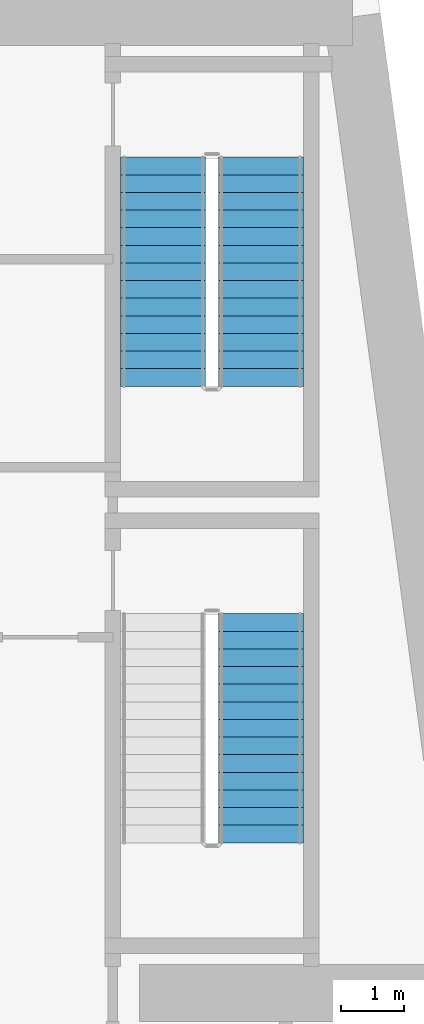
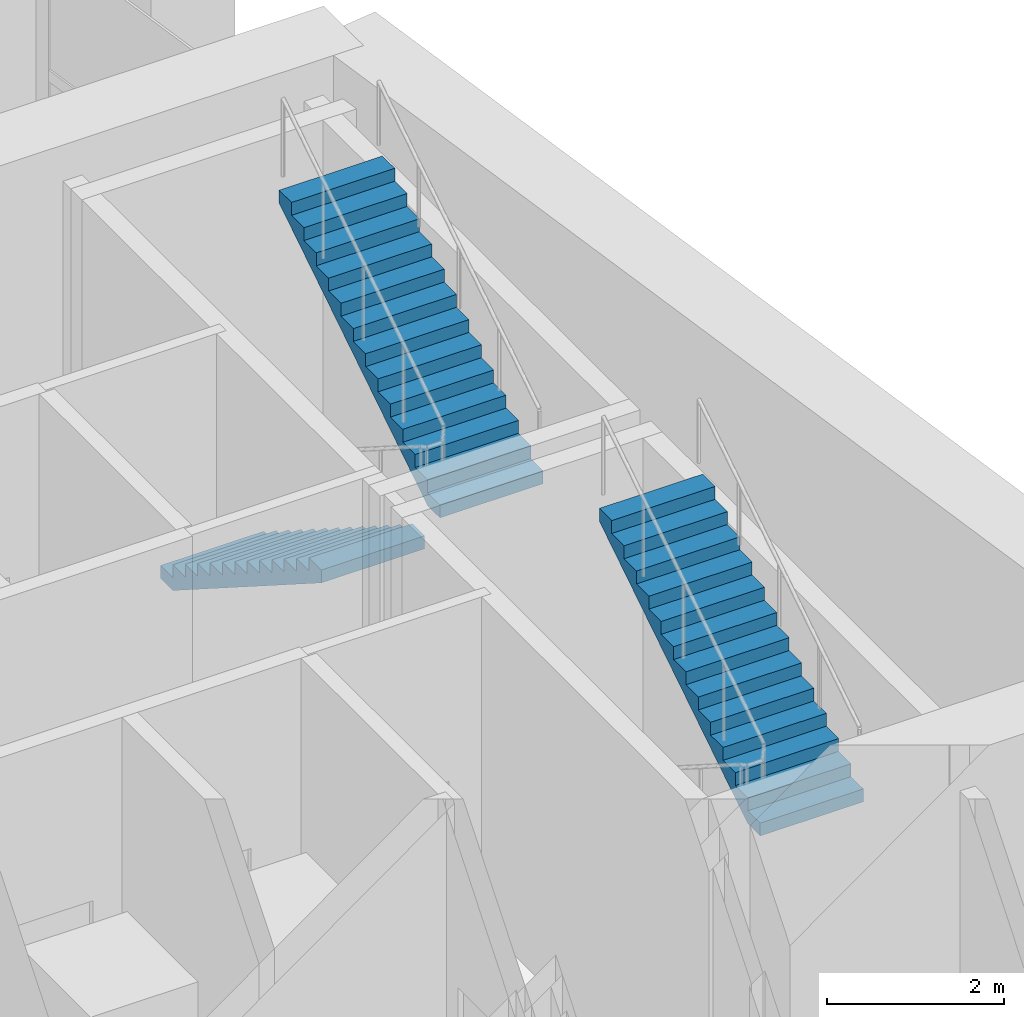
# One storey, part 11 of 16: 3 stair flights, 2 elements without a shape of their own.
"""IFC4 building model written with IfcOpenShell, lengths in metres."""

from ifc_helpers import new_model, si_unit, direction, frame, origin, place, context, subcontext, project, spatial, polyline, outline, extrude, material, type_object, element, aggregate, save


model = new_model("IFC4")

# Units and contexts
model_context = context("Model", 3, precision=1e-05, world=origin(), true_north=direction((0.0, 1.0)))
body_context = subcontext(model_context, "Body", "Model", "MODEL_VIEW")
ifc_project = project(units=[si_unit("LENGTHUNIT", "METRE"), si_unit("AREAUNIT", "SQUARE_METRE"), si_unit("VOLUMEUNIT", "CUBIC_METRE"), si_unit("PLANEANGLEUNIT", "RADIAN"), si_unit("MASSUNIT", "GRAM", prefix="KILO")], contexts=[model_context])

# Site, building, storey
site_placement = place(None, origin())
site = spatial("IfcSite", under=ifc_project, at=site_placement, CompositionType="ELEMENT")
building_placement = place(site_placement, origin())
building = spatial("IfcBuilding", under=site, at=building_placement, Name="Candeia Pilgrim Tower and Theatre", CompositionType="ELEMENT")
storey_placement = place(building_placement, frame((0.0, 0.0, 192.199951171875)))
storey = spatial("IfcBuildingStorey", under=building, at=storey_placement, Name="L46", CompositionType="ELEMENT", Elevation=192.199951171875)

# Stair, stair flight
ifc_material = material(Name="Concrete C40/50", Category="concrete")
stair_type = type_object("IfcStairType", Name="ST-TWR dog-leg escape stair", PredefinedType="HALF_TURN_STAIR", material=ifc_material)
stair_1_placement = place(storey_placement, origin())
stair_1 = element("IfcStair", 1, at=stair_1_placement, inside=storey, type_object=stair_type, Name="L46 Escape stair ST3", PredefinedType="HALF_TURN_STAIR")
stair_flight_type = type_object("IfcStairFlightType", Name="SFL-RC stair flight", PredefinedType="STRAIGHT", material=ifc_material)
stair_flight_1_placement = place(storey_placement, frame((136.322998046875, 118.8349609375, 2.5), z_axis=(0.0, 0.0, 1.0), x_axis=(0.0, 1.0, 0.0)))
stair_flight_1 = element("IfcStairFlight", 2, at=stair_flight_1_placement, type_object=stair_flight_type, Name="ST3 flight 2", NumberOfRisers=14, NumberOfTreads=13, PredefinedType="STRAIGHT", RiserHeight=0.178571429, TreadLength=0.28, context=body_context, shape_type="SweptSolid", body=[
    extrude(outline(polyline([(0.0, 0.0), (0.0, 0.178466796875), (0.280029296875, 0.178466796875), (0.280029296875, 0.357177734375), (0.56005859375, 0.357177734375), (0.56005859375, 0.53564453125), (0.840087890625, 0.53564453125), (0.840087890625, 0.71435546875), (1.1201171875, 0.71435546875), (1.1201171875, 0.892822265625), (1.39990234375, 0.892822265625), (1.39990234375, 1.071533203125), (1.679931640625, 1.071533203125), (1.679931640625, 1.25), (1.9599609375, 1.25), (1.9599609375, 1.428466796875), (2.239990234375, 1.428466796875), (2.239990234375, 1.607177734375), (2.52001953125, 1.607177734375), (2.52001953125, 1.78564453125), (2.800048828125, 1.78564453125), (2.800048828125, 1.96435546875), (3.080078125, 1.96435546875), (3.080078125, 2.142822265625), (3.360107421875, 2.142822265625), (3.360107421875, 2.321533203125), (3.639892578125, 2.321533203125), (3.639892578125, 2.5), (3.639892578125, 2.1435546875), (0.27880859375, 0.0), (0.0, 0.0)])), frame((0.0, 0.675048828125, 0.0), z_axis=(0.0, -1.0, 0.0), x_axis=(1.0, 0.0, 0.0)), (0.0, 0.0, 1.0), 1.35009765625),
])
aggregate(stair_1, [stair_flight_1])

# Stair, stair flights
stair_2_placement = place(storey_placement, origin())
stair_2 = element("IfcStair", 3, at=stair_2_placement, inside=storey, type_object=stair_type, Name="L46 Escape stair ST4", PredefinedType="HALF_TURN_STAIR")
stair_flight_2_placement = place(storey_placement, frame((134.77294921875, 129.72509765625, 0.0), z_axis=(0.0, 0.0, 1.0), x_axis=(0.0, -1.0, 0.0)))
stair_flight_2 = element("IfcStairFlight", 4, at=stair_flight_2_placement, type_object=stair_flight_type, Name="ST4 flight 1", NumberOfRisers=14, NumberOfTreads=13, PredefinedType="STRAIGHT", RiserHeight=0.178571429, TreadLength=0.28, context=body_context, shape_type="SweptSolid", body=[
    extrude(outline(polyline([(0.0, 0.0), (0.0, 0.178466796875), (0.280029296875, 0.178466796875), (0.280029296875, 0.357177734375), (0.56005859375, 0.357177734375), (0.56005859375, 0.53564453125), (0.840087890625, 0.53564453125), (0.840087890625, 0.71435546875), (1.1201171875, 0.71435546875), (1.1201171875, 0.892822265625), (1.39990234375, 0.892822265625), (1.39990234375, 1.071533203125), (1.679931640625, 1.071533203125), (1.679931640625, 1.25), (1.9599609375, 1.25), (1.9599609375, 1.428466796875), (2.239990234375, 1.428466796875), (2.239990234375, 1.607177734375), (2.52001953125, 1.607177734375), (2.52001953125, 1.78564453125), (2.800048828125, 1.78564453125), (2.800048828125, 1.96435546875), (3.080078125, 1.96435546875), (3.080078125, 2.142822265625), (3.360107421875, 2.142822265625), (3.360107421875, 2.321533203125), (3.639892578125, 2.321533203125), (3.639892578125, 2.5), (3.639892578125, 2.1435546875), (0.27880859375, 0.0), (0.0, 0.0)])), frame((0.0, 0.675048828125, 0.0), z_axis=(0.0, -1.0, 0.0), x_axis=(1.0, 0.0, 0.0)), (0.0, 0.0, 1.0), 1.35009765625),
])
stair_flight_3_placement = place(storey_placement, frame((136.322998046875, 126.0849609375, 2.5), z_axis=(0.0, 0.0, 1.0), x_axis=(0.0, 1.0, 0.0)))
stair_flight_3 = element("IfcStairFlight", 5, at=stair_flight_3_placement, type_object=stair_flight_type, Name="ST4 flight 2", NumberOfRisers=14, NumberOfTreads=13, PredefinedType="STRAIGHT", RiserHeight=0.178571429, TreadLength=0.28, context=body_context, shape_type="SweptSolid", body=[
    extrude(outline(polyline([(0.0, 0.0), (0.0, 0.178466796875), (0.280029296875, 0.178466796875), (0.280029296875, 0.357177734375), (0.56005859375, 0.357177734375), (0.56005859375, 0.53564453125), (0.840087890625, 0.53564453125), (0.840087890625, 0.71435546875), (1.1201171875, 0.71435546875), (1.1201171875, 0.892822265625), (1.39990234375, 0.892822265625), (1.39990234375, 1.071533203125), (1.679931640625, 1.071533203125), (1.679931640625, 1.25), (1.9599609375, 1.25), (1.9599609375, 1.428466796875), (2.239990234375, 1.428466796875), (2.239990234375, 1.607177734375), (2.52001953125, 1.607177734375), (2.52001953125, 1.78564453125), (2.800048828125, 1.78564453125), (2.800048828125, 1.96435546875), (3.080078125, 1.96435546875), (3.080078125, 2.142822265625), (3.360107421875, 2.142822265625), (3.360107421875, 2.321533203125), (3.639892578125, 2.321533203125), (3.639892578125, 2.5), (3.639892578125, 2.1435546875), (0.27880859375, 0.0), (0.0, 0.0)])), frame((0.0, 0.675048828125, 0.0), z_axis=(0.0, -1.0, 0.0), x_axis=(1.0, 0.0, 0.0)), (0.0, 0.0, 1.0), 1.35009765625),
])
aggregate(stair_2, [stair_flight_2, stair_flight_3])

save(model, "model.ifc")
